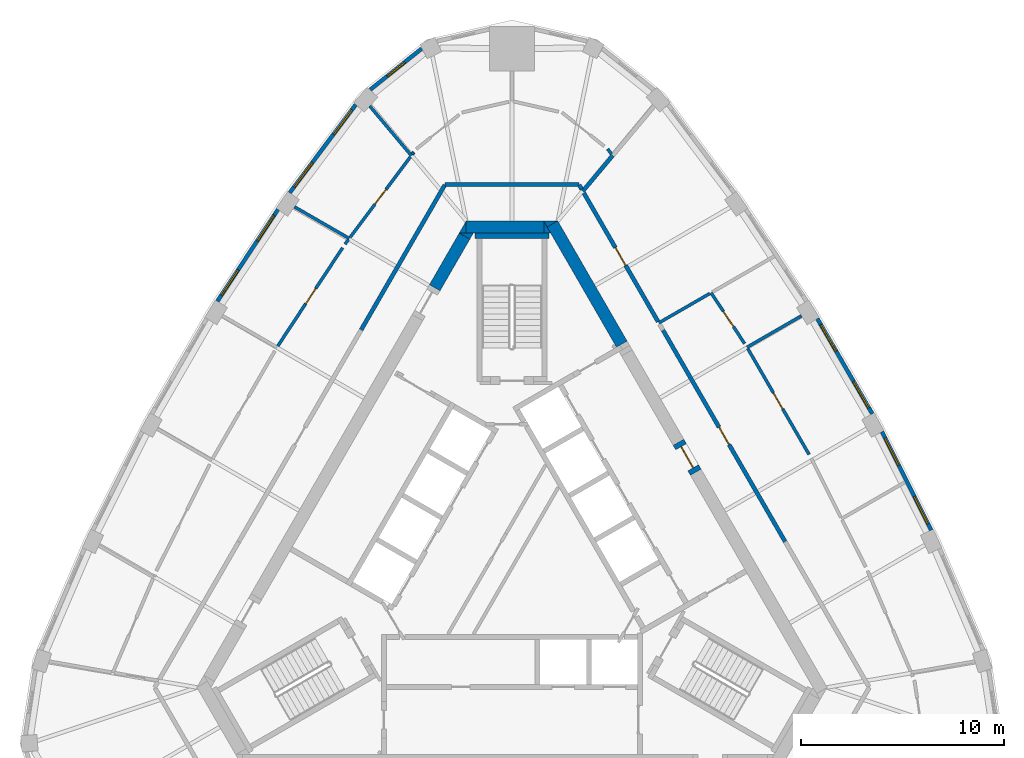
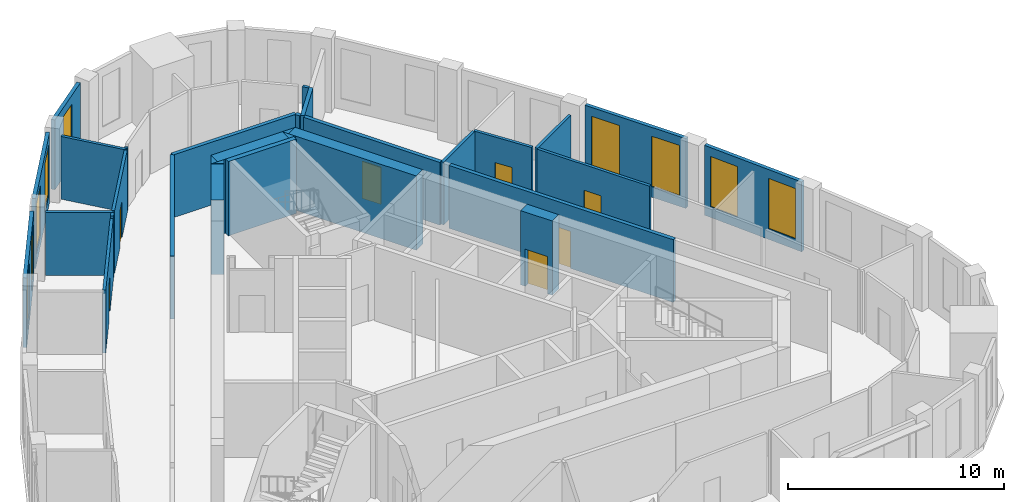
# One storey, part 8 of 10: 31 walls, 9 windows, 7 doors, 16 openings.
"""IFC4 building model written with IfcOpenShell, lengths in metres."""

from ifc_helpers import new_model, si_unit, direction, frame, frame_2d, origin, place, context, subcontext, project, spatial, polyline, rectangle, outline, extrude, material, layer, layer_set, type_object, element, fill, save


model = new_model("IFC4")

# Units and contexts
model_context = context("Model", 3, precision=1e-05, world=origin(), true_north=direction((0.0, 1.0)))
body_context = subcontext(model_context, "Body", "Model", "MODEL_VIEW")
ifc_project = project(units=[si_unit("LENGTHUNIT", "METRE"), si_unit("AREAUNIT", "SQUARE_METRE"), si_unit("VOLUMEUNIT", "CUBIC_METRE"), si_unit("PLANEANGLEUNIT", "RADIAN"), si_unit("MASSUNIT", "GRAM", prefix="KILO")], contexts=[model_context])

# Site, building, storey
site_placement = place(None, origin())
site = spatial("IfcSite", under=ifc_project, at=site_placement, CompositionType="ELEMENT")
building_placement = place(site_placement, origin())
building = spatial("IfcBuilding", under=site, at=building_placement, Name="Mestral Congress Tower", CompositionType="ELEMENT")
storey_placement = place(building_placement, frame((0.0, 0.0, 300.60009765625)))
storey = spatial("IfcBuildingStorey", under=building, at=storey_placement, Name="L70", CompositionType="ELEMENT", Elevation=300.60009765625)

# Walls
ifc_material_1 = material(Name="Concrete C60/75", Category="concrete")
ifc_layer_1 = layer(ifc_material_1, 0.60009765625)
ifc_layer_set_1 = layer_set([ifc_layer_1], Name="Concrete C60/75")
wall_type_1 = type_object("IfcWallType", Name="Core wall RC 600", PredefinedType="SOLIDWALL", material=ifc_layer_set_1)
wall_1_placement = place(storey_placement, frame((1.98876953125, 16.45556640625, 0.0), z_axis=(0.0, 0.0, 1.0), x_axis=(0.499973159588, -0.866040899549, 0.0)))
element("IfcWall", 1, at=wall_1_placement, inside=storey, type_object=wall_type_1, Name="L70 core wall", PredefinedType="SOLIDWALL", context=body_context, shape_type="SweptSolid", body=[
    extrude(rectangle(XDim=6.828125, YDim=0.60009765625, at=frame_2d((3.4140625, 0.0))), origin(), (0.0, 0.0, 1.0), 4.199951171875),
])
placement = place(storey_placement, origin())
element("IfcWall", 2, at=placement, inside=storey, type_object=wall_type_1, Name="L70 core wall", PredefinedType="SOLIDWALL", context=body_context, shape_type="SweptSolid", body=[
    extrude(outline(polyline([(1.558837890625, 16.60009765625), (2.23486328125, 16.60009765625), (1.727783203125, 16.307373046875), (1.558837890625, 16.60009765625)])), origin(), (0.0, 0.0, 1.0), 4.199951171875),
])
wall_3_placement = place(storey_placement, frame((-2.258056640625, 16.300048828125, 0.0), z_axis=(0.0, 0.0, 1.0), x_axis=(1.0, 0.0, 0.0)))
element("IfcWall", 3, at=wall_3_placement, inside=storey, type_object=wall_type_1, Name="L70 core wall", PredefinedType="SOLIDWALL", context=body_context, shape_type="SweptSolid", body=[
    extrude(rectangle(XDim=3.8232421875, YDim=0.60009765625, at=frame_2d((1.91162109375, 0.0))), origin(), (0.0, 0.0, 1.0), 4.199951171875),
])
element("IfcWall", 4, at=placement, inside=storey, type_object=wall_type_1, Name="L70 core wall", PredefinedType="SOLIDWALL", context=body_context, shape_type="SweptSolid", body=[
    extrude(outline(polyline([(1.9052734375, 16.0), (1.5673828125, 16.0), (1.5673828125, 16.58544921875), (1.9052734375, 16.0)])), origin(), (0.0, 0.0, 1.0), 4.199951171875),
])
element("IfcWall", 5, at=placement, inside=storey, type_object=wall_type_1, Name="L70 core wall", PredefinedType="SOLIDWALL", context=body_context, shape_type="SweptSolid", body=[
    extrude(outline(polyline([(-2.59814453125, 16.0), (-2.260009765625, 16.58544921875), (-2.260009765625, 16.0), (-2.59814453125, 16.0)])), origin(), (0.0, 0.0, 1.0), 4.199951171875),
])
wall_6_placement = place(storey_placement, frame((-2.335205078125, 15.85546875, 0.0), z_axis=(0.0, 0.0, 1.0), x_axis=(-0.499960127962, -0.866048422692, 0.0)))
element("IfcWall", 6, at=wall_6_placement, inside=storey, type_object=wall_type_1, Name="L70 core wall", PredefinedType="SOLIDWALL", context=body_context, shape_type="SweptSolid", body=[
    extrude(rectangle(XDim=2.934326171875, YDim=0.60009765625, at=frame_2d((1.46728515625, 0.0))), origin(), (0.0, 0.0, 1.0), 4.199951171875),
])
element("IfcWall", 7, at=placement, inside=storey, type_object=wall_type_1, Name="L70 core wall", PredefinedType="SOLIDWALL", context=body_context, shape_type="SweptSolid", body=[
    extrude(outline(polyline([(-1.9052734375, 16.0), (-2.07421875, 15.707275390625), (-2.581298828125, 16.0), (-1.9052734375, 16.0)])), origin(), (0.0, 0.0, 1.0), 4.199951171875),
])

# Wall, opening, door
wall_8_placement = place(storey_placement, frame((8.19189453125, 5.711181640625, 0.0), z_axis=(0.0, 0.0, 1.0), x_axis=(0.500062241894, -0.865989465428, 0.0)))
wall_8 = element("IfcWall", 8, at=wall_8_placement, inside=storey, type_object=wall_type_1, Name="L70 door wall", PredefinedType="SOLIDWALL", context=body_context, shape_type="SweptSolid", body=[
    extrude(rectangle(XDim=1.699951171875, YDim=0.60009765625, at=frame_2d((0.85009765625, 0.0))), origin(), (0.0, 0.0, 1.0), 4.199951171875),
])
opening_1_placement = place(wall_8_placement, frame((0.25, 0.0, 0.0)))
opening_1 = element("IfcOpeningElement", 9, at=opening_1_placement, cuts=wall_8, Name="Opening XDL", PredefinedType="OPENING", context=body_context, shape_type="SweptSolid", body=[
    extrude(rectangle(XDim=1.199951171875, YDim=2.10009765625, at=frame_2d((0.60009765625, 1.050048828125))), frame((0.0, 0.31005859375, 0.0), z_axis=(0.0, -1.0, 0.0), x_axis=(1.0, 0.0, 0.0)), (0.0, 0.0, 1.0), 0.6201171875),
])
ifc_material_2 = material(Name="Fire-rated steel door set", Category="steel")
door_type_1 = type_object("IfcDoorType", Name="Core door XD 1200x2100", OperationType="SINGLE_SWING_LEFT", PredefinedType="DOOR", material=ifc_material_2)
door_1_placement = place(opening_1_placement, origin())
door_1 = element("IfcDoor", 10, at=door_1_placement, inside=storey, type_object=door_type_1, Name="Door XDL", OperationType="SINGLE_SWING_LEFT", OverallHeight=2.10009765625, OverallWidth=1.199951171875, PredefinedType="DOOR", context=body_context, shape_type="SweptSolid", body=[
    extrude(rectangle(XDim=1.199951171875, YDim=2.10009765625, at=frame_2d((0.60009765625, 1.050048828125))), frame((0.0, 0.02490234375, 0.0), z_axis=(0.0, -1.0, 0.0), x_axis=(1.0, 0.0, 0.0)), (0.0, 0.0, 1.0), 0.050048828125),
])
fill(opening_1, door_1)

# Wall, openings, windows
ifc_material_3 = material(Name="Precast concrete C40/50 with limestone facing", Category="masonry")
ifc_layer_2 = layer(ifc_material_3, 0.18994140625)
ifc_layer_set_2 = layer_set([ifc_layer_2], Name="Precast concrete C40/50 with limestone facing")
wall_type_2 = type_object("IfcWallType", Name="Facade stone wall 190", PredefinedType="SOLIDWALL", material=ifc_layer_set_2)
wall_9_placement = place(storey_placement, frame((20.625, 1.39208984375, 0.0), z_axis=(0.0, 0.0, 1.0), x_axis=(-0.447484531401, 0.894291671747, 0.0)))
wall_9 = element("IfcWall", 11, at=wall_9_placement, inside=storey, type_object=wall_type_2, Name="Facade wall F1-01", PredefinedType="SOLIDWALL", context=body_context, shape_type="SweptSolid", body=[
    extrude(rectangle(XDim=5.40625, YDim=0.18994140625, at=frame_2d((2.703125, 0.0))), origin(), (0.0, 0.0, 1.0), 3.949951171875),
])
opening_2_placement = place(wall_9_placement, frame((0.346435546875, 0.0, 0.60009765625)))
opening_2 = element("IfcOpeningElement", 12, at=opening_2_placement, cuts=wall_9, Name="Opening W6", PredefinedType="OPENING", context=body_context, shape_type="SweptSolid", body=[
    extrude(rectangle(XDim=1.5, YDim=2.85009765625, at=frame_2d((0.75, 1.425048828125))), frame((0.0, 0.10498046875, 0.0), z_axis=(0.0, -1.0, 0.0), x_axis=(1.0, 0.0, 0.0)), (0.0, 0.0, 1.0), 0.2099609375),
])
opening_3_placement = place(wall_9_placement, frame((3.559326171875, 0.0, 0.60009765625)))
opening_3 = element("IfcOpeningElement", 13, at=opening_3_placement, cuts=wall_9, Name="Opening W6", PredefinedType="OPENING", context=body_context, shape_type="SweptSolid", body=[
    extrude(rectangle(XDim=1.5, YDim=2.85009765625, at=frame_2d((0.75, 1.425048828125))), frame((0.0, 0.10498046875, 0.0), z_axis=(0.0, -1.0, 0.0), x_axis=(1.0, 0.0, 0.0)), (0.0, 0.0, 1.0), 0.2099609375),
])
ifc_material_4 = material(Name="Clear low-emissivity double glazing", Category="glass")
window_type_1 = type_object("IfcWindowType", Name="Facade punched window 1500 x 2850 sill 600", PartitioningType="SINGLE_PANEL", PredefinedType="WINDOW", material=ifc_material_4)
window_1_placement = place(opening_2_placement, origin())
window_1 = element("IfcWindow", 14, at=window_1_placement, inside=storey, type_object=window_type_1, Name="Window F1-01a", OverallHeight=2.85009765625, OverallWidth=1.5, PartitioningType="SINGLE_PANEL", PredefinedType="WINDOW", context=body_context, shape_type="SweptSolid", body=[
    extrude(rectangle(XDim=1.5, YDim=2.85009765625, at=frame_2d((0.75, 1.425048828125))), frame((0.0, 0.044921875, 0.0), z_axis=(0.0, -1.0, 0.0), x_axis=(1.0, 0.0, 0.0)), (0.0, 0.0, 1.0), 0.06005859375),
])
fill(opening_2, window_1)
window_2_placement = place(opening_3_placement, origin())
window_2 = element("IfcWindow", 15, at=window_2_placement, inside=storey, type_object=window_type_1, Name="Window F1-01b", OverallHeight=2.85009765625, OverallWidth=1.5, PartitioningType="SINGLE_PANEL", PredefinedType="WINDOW", context=body_context, shape_type="SweptSolid", body=[
    extrude(rectangle(XDim=1.5, YDim=2.85009765625, at=frame_2d((0.75, 1.425048828125))), frame((0.0, 0.044921875, 0.0), z_axis=(0.0, -1.0, 0.0), x_axis=(1.0, 0.0, 0.0)), (0.0, 0.0, 1.0), 0.06005859375),
])
fill(opening_3, window_2)

wall_10_placement = place(storey_placement, frame((17.728271484375, 7.1142578125, 0.0), z_axis=(0.0, 0.0, 1.0), x_axis=(-0.500024767483, 0.866011103799, 0.0)))
wall_10 = element("IfcWall", 16, at=wall_10_placement, inside=storey, type_object=wall_type_2, Name="Facade wall F1-02", PredefinedType="SOLIDWALL", context=body_context, shape_type="SweptSolid", body=[
    extrude(rectangle(XDim=5.406005859375, YDim=0.18994140625, at=frame_2d((2.703125, 0.0))), origin(), (0.0, 0.0, 1.0), 3.949951171875),
])
opening_4_placement = place(wall_10_placement, frame((0.346435546875, 0.0, 0.60009765625)))
opening_4 = element("IfcOpeningElement", 17, at=opening_4_placement, cuts=wall_10, Name="Opening W6", PredefinedType="OPENING", context=body_context, shape_type="SweptSolid", body=[
    extrude(rectangle(XDim=1.5, YDim=2.85009765625, at=frame_2d((0.75, 1.425048828125))), frame((0.0, 0.10498046875, 0.0), z_axis=(0.0, -1.0, 0.0), x_axis=(1.0, 0.0, 0.0)), (0.0, 0.0, 1.0), 0.2099609375),
])
opening_5_placement = place(wall_10_placement, frame((3.5595703125, 0.0, 0.60009765625)))
opening_5 = element("IfcOpeningElement", 18, at=opening_5_placement, cuts=wall_10, Name="Opening W6", PredefinedType="OPENING", context=body_context, shape_type="SweptSolid", body=[
    extrude(rectangle(XDim=1.5, YDim=2.85009765625, at=frame_2d((0.75, 1.425048828125))), frame((0.0, 0.10498046875, 0.0), z_axis=(0.0, -1.0, 0.0), x_axis=(1.0, 0.0, 0.0)), (0.0, 0.0, 1.0), 0.2099609375),
])
window_3_placement = place(opening_4_placement, origin())
window_3 = element("IfcWindow", 19, at=window_3_placement, inside=storey, type_object=window_type_1, Name="Window F1-02a", OverallHeight=2.85009765625, OverallWidth=1.5, PartitioningType="SINGLE_PANEL", PredefinedType="WINDOW", context=body_context, shape_type="SweptSolid", body=[
    extrude(rectangle(XDim=1.5, YDim=2.85009765625, at=frame_2d((0.75, 1.425048828125))), frame((0.0, 0.044921875, 0.0), z_axis=(0.0, -1.0, 0.0), x_axis=(1.0, 0.0, 0.0)), (0.0, 0.0, 1.0), 0.06005859375),
])
fill(opening_4, window_3)
window_4_placement = place(opening_5_placement, origin())
window_4 = element("IfcWindow", 20, at=window_4_placement, inside=storey, type_object=window_type_1, Name="Window F1-02b", OverallHeight=2.85009765625, OverallWidth=1.5, PartitioningType="SINGLE_PANEL", PredefinedType="WINDOW", context=body_context, shape_type="SweptSolid", body=[
    extrude(rectangle(XDim=1.5, YDim=2.85009765625, at=frame_2d((0.75, 1.425048828125))), frame((0.0, 0.044921875, 0.0), z_axis=(0.0, -1.0, 0.0), x_axis=(1.0, 0.0, 0.0)), (0.0, 0.0, 1.0), 0.06005859375),
])
fill(opening_5, window_4)

# Wall, opening, window
wall_11_placement = place(storey_placement, frame((-4.447509765625, 25.080078125, 0.0), z_axis=(0.0, 0.0, 1.0), x_axis=(-0.781626234064, -0.623747088349, 0.0)))
wall_11 = element("IfcWall", 21, at=wall_11_placement, inside=storey, type_object=wall_type_2, Name="Facade wall K1-3", PredefinedType="SOLIDWALL", context=body_context, shape_type="SweptSolid", body=[
    extrude(rectangle(XDim=3.236572265625, YDim=0.18994140625, at=frame_2d((1.6181640625, 0.0))), origin(), (0.0, 0.0, 1.0), 3.949951171875),
])
opening_6_placement = place(wall_11_placement, frame((1.068359375, 0.0, 0.60009765625)))
opening_6 = element("IfcOpeningElement", 22, at=opening_6_placement, cuts=wall_11, Name="Opening W7", PredefinedType="OPENING", context=body_context, shape_type="SweptSolid", body=[
    extrude(rectangle(XDim=1.10009765625, YDim=2.85009765625, at=frame_2d((0.550048828125, 1.425048828125))), frame((0.0, 0.10498046875, 0.0), z_axis=(0.0, -1.0, 0.0), x_axis=(1.0, 0.0, 0.0)), (0.0, 0.0, 1.0), 0.2099609375),
])
window_type_2 = type_object("IfcWindowType", Name="Facade punched window 1100 x 2850 sill 600", PartitioningType="SINGLE_PANEL", PredefinedType="WINDOW", material=ifc_material_4)
window_5_placement = place(opening_6_placement, origin())
window_5 = element("IfcWindow", 23, at=window_5_placement, inside=storey, type_object=window_type_2, Name="Window K1-3", OverallHeight=2.85009765625, OverallWidth=1.10009765625, PartitioningType="SINGLE_PANEL", PredefinedType="WINDOW", context=body_context, shape_type="SweptSolid", body=[
    extrude(rectangle(XDim=1.10009765625, YDim=2.85009765625, at=frame_2d((0.550048828125, 1.425048828125))), frame((0.0, 0.044921875, 0.0), z_axis=(0.0, -1.0, 0.0), x_axis=(1.0, 0.0, 0.0)), (0.0, 0.0, 1.0), 0.06005859375),
])
fill(opening_6, window_5)

# Wall, openings, windows
wall_12_placement = place(storey_placement, frame((-7.691650390625, 22.32373046875, 0.0), z_axis=(0.0, 0.0, 1.0), x_axis=(-0.599559865294, -0.800329911929, 0.0)))
wall_12 = element("IfcWall", 24, at=wall_12_placement, inside=storey, type_object=wall_type_2, Name="Facade wall F2-00", PredefinedType="SOLIDWALL", context=body_context, shape_type="SweptSolid", body=[
    extrude(rectangle(XDim=5.4150390625, YDim=0.18994140625, at=frame_2d((2.70751953125, 0.0))), origin(), (0.0, 0.0, 1.0), 3.949951171875),
])
opening_7_placement = place(wall_12_placement, frame((0.322509765625, 0.0, 0.60009765625)))
opening_7 = element("IfcOpeningElement", 25, at=opening_7_placement, cuts=wall_12, Name="Opening W6", PredefinedType="OPENING", context=body_context, shape_type="SweptSolid", body=[
    extrude(rectangle(XDim=1.5, YDim=2.85009765625, at=frame_2d((0.75, 1.425048828125))), frame((0.0, 0.10498046875, 0.0), z_axis=(0.0, -1.0, 0.0), x_axis=(1.0, 0.0, 0.0)), (0.0, 0.0, 1.0), 0.2099609375),
])
opening_8_placement = place(wall_12_placement, frame((3.5576171875, 0.0, 0.60009765625)))
opening_8 = element("IfcOpeningElement", 26, at=opening_8_placement, cuts=wall_12, Name="Opening W6", PredefinedType="OPENING", context=body_context, shape_type="SweptSolid", body=[
    extrude(rectangle(XDim=1.5, YDim=2.85009765625, at=frame_2d((0.75, 1.425048828125))), frame((0.0, 0.10498046875, 0.0), z_axis=(0.0, -1.0, 0.0), x_axis=(1.0, 0.0, 0.0)), (0.0, 0.0, 1.0), 0.2099609375),
])
window_6_placement = place(opening_7_placement, origin())
window_6 = element("IfcWindow", 27, at=window_6_placement, inside=storey, type_object=window_type_1, Name="Window F2-00a", OverallHeight=2.85009765625, OverallWidth=1.5, PartitioningType="SINGLE_PANEL", PredefinedType="WINDOW", context=body_context, shape_type="SweptSolid", body=[
    extrude(rectangle(XDim=1.5, YDim=2.85009765625, at=frame_2d((0.75, 1.425048828125))), frame((0.0, 0.044921875, 0.0), z_axis=(0.0, -1.0, 0.0), x_axis=(1.0, 0.0, 0.0)), (0.0, 0.0, 1.0), 0.06005859375),
])
fill(opening_7, window_6)
window_7_placement = place(opening_8_placement, origin())
window_7 = element("IfcWindow", 28, at=window_7_placement, inside=storey, type_object=window_type_1, Name="Window F2-00b", OverallHeight=2.85009765625, OverallWidth=1.5, PartitioningType="SINGLE_PANEL", PredefinedType="WINDOW", context=body_context, shape_type="SweptSolid", body=[
    extrude(rectangle(XDim=1.5, YDim=2.85009765625, at=frame_2d((0.75, 1.425048828125))), frame((0.0, 0.044921875, 0.0), z_axis=(0.0, -1.0, 0.0), x_axis=(1.0, 0.0, 0.0)), (0.0, 0.0, 1.0), 0.06005859375),
])
fill(opening_8, window_7)

wall_13_placement = place(storey_placement, frame((-11.518310546875, 17.16552734375, 0.0), z_axis=(0.0, 0.0, 1.0), x_axis=(-0.550744054781, -0.83467417962, 0.0)))
wall_13 = element("IfcWall", 29, at=wall_13_placement, inside=storey, type_object=wall_type_2, Name="Facade wall F2-01", PredefinedType="SOLIDWALL", context=body_context, shape_type="SweptSolid", body=[
    extrude(rectangle(XDim=5.406005859375, YDim=0.18994140625, at=frame_2d((2.703125, 0.0))), origin(), (0.0, 0.0, 1.0), 3.949951171875),
])
opening_9_placement = place(wall_13_placement, frame((0.346435546875, 0.0, 0.60009765625)))
opening_9 = element("IfcOpeningElement", 30, at=opening_9_placement, cuts=wall_13, Name="Opening W6", PredefinedType="OPENING", context=body_context, shape_type="SweptSolid", body=[
    extrude(rectangle(XDim=1.5, YDim=2.85009765625, at=frame_2d((0.75, 1.425048828125))), frame((0.0, 0.10498046875, 0.0), z_axis=(0.0, -1.0, 0.0), x_axis=(1.0, 0.0, 0.0)), (0.0, 0.0, 1.0), 0.2099609375),
])
opening_10_placement = place(wall_13_placement, frame((3.559326171875, 0.0, 0.60009765625)))
opening_10 = element("IfcOpeningElement", 31, at=opening_10_placement, cuts=wall_13, Name="Opening W6", PredefinedType="OPENING", context=body_context, shape_type="SweptSolid", body=[
    extrude(rectangle(XDim=1.5, YDim=2.85009765625, at=frame_2d((0.75, 1.425048828125))), frame((0.0, 0.10498046875, 0.0), z_axis=(0.0, -1.0, 0.0), x_axis=(1.0, 0.0, 0.0)), (0.0, 0.0, 1.0), 0.2099609375),
])
window_8_placement = place(opening_9_placement, origin())
window_8 = element("IfcWindow", 32, at=window_8_placement, inside=storey, type_object=window_type_1, Name="Window F2-01a", OverallHeight=2.85009765625, OverallWidth=1.5, PartitioningType="SINGLE_PANEL", PredefinedType="WINDOW", context=body_context, shape_type="SweptSolid", body=[
    extrude(rectangle(XDim=1.5, YDim=2.85009765625, at=frame_2d((0.75, 1.425048828125))), frame((0.0, 0.044921875, 0.0), z_axis=(0.0, -1.0, 0.0), x_axis=(1.0, 0.0, 0.0)), (0.0, 0.0, 1.0), 0.06005859375),
])
fill(opening_9, window_8)
window_9_placement = place(opening_10_placement, origin())
window_9 = element("IfcWindow", 33, at=window_9_placement, inside=storey, type_object=window_type_1, Name="Window F2-01b", OverallHeight=2.85009765625, OverallWidth=1.5, PartitioningType="SINGLE_PANEL", PredefinedType="WINDOW", context=body_context, shape_type="SweptSolid", body=[
    extrude(rectangle(XDim=1.5, YDim=2.85009765625, at=frame_2d((0.75, 1.425048828125))), frame((0.0, 0.044921875, 0.0), z_axis=(0.0, -1.0, 0.0), x_axis=(1.0, 0.0, 0.0)), (0.0, 0.0, 1.0), 0.06005859375),
])
fill(opening_10, window_9)

# Wall
ifc_material_5 = material(Name="Plasterboard partition on steel studs", Category="steel")
ifc_layer_3 = layer(ifc_material_5, 0.14990234375)
ifc_layer_set_3 = layer_set([ifc_layer_3], Name="Plasterboard partition on steel studs")
wall_type_3 = type_object("IfcWallType", Name="Office partition 150", PredefinedType="PARTITIONING", material=ifc_layer_set_3)
wall_14_placement = place(storey_placement, frame((11.564208984375, 10.38671875, 0.0), z_axis=(0.0, 0.0, 1.0), x_axis=(0.86604641216, 0.499963610661, 0.0)))
element("IfcWall", 34, at=wall_14_placement, inside=storey, type_object=wall_type_3, Name="Partition", PredefinedType="PARTITIONING", context=body_context, shape_type="SweptSolid", body=[
    extrude(rectangle(XDim=3.096435546875, YDim=0.14990234375, at=frame_2d((1.54833984375, 0.0))), origin(), (0.0, 0.0, 1.0), 3.5498046875),
])

# Wall, opening, door
wall_15_placement = place(storey_placement, frame((11.601806640625, 10.32177734375, 0.0), z_axis=(0.0, 0.0, 1.0), x_axis=(0.500961140821, -0.865469777281, 0.0)))
wall_15 = element("IfcWall", 35, at=wall_15_placement, inside=storey, type_object=wall_type_3, Name="Partition", PredefinedType="PARTITIONING", context=body_context, shape_type="SweptSolid", body=[
    extrude(rectangle(XDim=6.020751953125, YDim=0.14990234375, at=frame_2d((3.01025390625, 0.0))), origin(), (0.0, 0.0, 1.0), 3.5498046875),
])
opening_11_placement = place(wall_15_placement, frame((2.5205078125, 0.0, 0.0)))
opening_11 = element("IfcOpeningElement", 36, at=opening_11_placement, cuts=wall_15, Name="Opening O13-006", PredefinedType="OPENING", context=body_context, shape_type="SweptSolid", body=[
    extrude(rectangle(XDim=0.89990234375, YDim=2.10009765625, at=frame_2d((0.449951171875, 1.050048828125))), frame((0.0, 0.0849609375, 0.0), z_axis=(0.0, -1.0, 0.0), x_axis=(1.0, 0.0, 0.0)), (0.0, 0.0, 1.0), 0.169921875),
])
ifc_material_6 = material(Name="Timber door set", Category="wood")
door_type_2 = type_object("IfcDoorType", Name="Office door 900x2100", OperationType="SINGLE_SWING_LEFT", PredefinedType="DOOR", material=ifc_material_6)
door_2_placement = place(opening_11_placement, origin())
door_2 = element("IfcDoor", 37, at=door_2_placement, inside=storey, type_object=door_type_2, Name="Door O13-006", OperationType="SINGLE_SWING_LEFT", OverallHeight=2.10009765625, OverallWidth=0.89990234375, PredefinedType="DOOR", context=body_context, shape_type="SweptSolid", body=[
    extrude(rectangle(XDim=0.89990234375, YDim=2.10009765625, at=frame_2d((0.449951171875, 1.050048828125))), frame((0.0, 0.02490234375, 0.0), z_axis=(0.0, -1.0, 0.0), x_axis=(1.0, 0.0, 0.0)), (0.0, 0.0, 1.0), 0.050048828125),
])
fill(opening_11, door_2)

wall_16_placement = place(storey_placement, frame((9.794677734375, 13.068359375, 0.0), z_axis=(0.0, 0.0, 1.0), x_axis=(0.550767347659, -0.834658809786, 0.0)))
wall_16 = element("IfcWall", 38, at=wall_16_placement, inside=storey, type_object=wall_type_3, Name="Partition", PredefinedType="PARTITIONING", context=body_context, shape_type="SweptSolid", body=[
    extrude(rectangle(XDim=2.998779296875, YDim=0.14990234375, at=frame_2d((1.49951171875, 0.0))), origin(), (0.0, 0.0, 1.0), 3.5498046875),
])
opening_12_placement = place(wall_16_placement, frame((1.0986328125, 0.0, 0.0)))
opening_12 = element("IfcOpeningElement", 39, at=opening_12_placement, cuts=wall_16, Name="Opening O13-007", PredefinedType="OPENING", context=body_context, shape_type="SweptSolid", body=[
    extrude(rectangle(XDim=0.89990234375, YDim=2.10009765625, at=frame_2d((0.449951171875, 1.050048828125))), frame((0.0, 0.0849609375, 0.0), z_axis=(0.0, -1.0, 0.0), x_axis=(1.0, 0.0, 0.0)), (0.0, 0.0, 1.0), 0.169921875),
])
door_3_placement = place(opening_12_placement, origin())
door_3 = element("IfcDoor", 40, at=door_3_placement, inside=storey, type_object=door_type_2, Name="Door O13-007", OperationType="SINGLE_SWING_RIGHT", OverallHeight=2.10009765625, OverallWidth=0.89990234375, PredefinedType="DOOR", context=body_context, shape_type="SweptSolid", body=[
    extrude(rectangle(XDim=0.89990234375, YDim=2.10009765625, at=frame_2d((0.449951171875, 1.050048828125))), frame((0.0, 0.02490234375, 0.0), z_axis=(0.0, -1.0, 0.0), x_axis=(1.0, 0.0, 0.0)), (0.0, 0.0, 1.0), 0.050048828125),
])
fill(opening_12, door_3)

# Walls
wall_17_placement = place(storey_placement, frame((7.2255859375, 11.585205078125, 0.0), z_axis=(0.0, 0.0, 1.0), x_axis=(0.866021079084, 0.500007490527, 0.0)))
element("IfcWall", 41, at=wall_17_placement, inside=storey, type_object=wall_type_3, Name="Partition", PredefinedType="PARTITIONING", context=body_context, shape_type="SweptSolid", body=[
    extrude(rectangle(XDim=2.8916015625, YDim=0.14990234375, at=frame_2d((1.44580078125, 0.0))), origin(), (0.0, 0.0, 1.0), 3.5498046875),
])
wall_18_placement = place(storey_placement, frame((4.89111328125, 19.8994140625, 0.0), z_axis=(0.0, 0.0, 1.0), x_axis=(-0.6, 0.8, 0.0)))
element("IfcWall", 42, at=wall_18_placement, inside=storey, type_object=wall_type_3, Name="Partition", PredefinedType="PARTITIONING", context=body_context, shape_type="SweptSolid", body=[
    extrude(rectangle(XDim=0.308837890625, YDim=0.14990234375, at=frame_2d((0.154296875, 0.0))), origin(), (0.0, 0.0, 1.0), 3.5498046875),
])
wall_19_placement = place(storey_placement, frame((-4.952392578125, 19.8173828125, 0.0), z_axis=(0.0, 0.0, 1.0), x_axis=(-0.643023053688, 0.765846820471, 0.0)))
element("IfcWall", 43, at=wall_19_placement, inside=storey, type_object=wall_type_3, Name="Partition", PredefinedType="PARTITIONING", context=body_context, shape_type="SweptSolid", body=[
    extrude(rectangle(XDim=3.184326171875, YDim=0.14990234375, at=frame_2d((1.59228515625, 0.0))), origin(), (0.0, 0.0, 1.0), 3.5498046875),
])
wall_20_placement = place(storey_placement, frame((-4.83447265625, 19.97509765625, 0.0), z_axis=(0.0, 0.0, 1.0), x_axis=(-0.599349659863, -0.800487342325, 0.0)))
element("IfcWall", 44, at=wall_20_placement, inside=storey, type_object=wall_type_3, Name="Partition", PredefinedType="PARTITIONING", context=body_context, shape_type="SweptSolid", body=[
    extrude(rectangle(XDim=0.1201171875, YDim=0.14990234375, at=frame_2d((0.06005859375, 0.0))), origin(), (0.0, 0.0, 1.0), 3.5498046875),
])
wall_21_placement = place(storey_placement, frame((-8.007080078125, 15.73974609375, 0.0), z_axis=(0.0, 0.0, 1.0), x_axis=(-0.866044607523, 0.499966736674, 0.0)))
element("IfcWall", 45, at=wall_21_placement, inside=storey, type_object=wall_type_3, Name="Partition", PredefinedType="PARTITIONING", context=body_context, shape_type="SweptSolid", body=[
    extrude(rectangle(XDim=3.114501953125, YDim=0.14990234375, at=frame_2d((1.55712890625, 0.0))), origin(), (0.0, 0.0, 1.0), 3.5498046875),
])

# Wall, opening, door
wall_22_placement = place(storey_placement, frame((-7.9619140625, 15.800048828125, 0.0), z_axis=(0.0, 0.0, 1.0), x_axis=(0.599541489613, 0.800343677574, 0.0)))
wall_22 = element("IfcWall", 46, at=wall_22_placement, inside=storey, type_object=wall_type_3, Name="Partition", PredefinedType="PARTITIONING", context=body_context, shape_type="SweptSolid", body=[
    extrude(rectangle(XDim=4.9423828125, YDim=0.14990234375, at=frame_2d((2.47119140625, 0.0))), origin(), (0.0, 0.0, 1.0), 3.5498046875),
])
opening_13_placement = place(wall_22_placement, frame((2.042236328125, 0.0, 0.0)))
opening_13 = element("IfcOpeningElement", 47, at=opening_13_placement, cuts=wall_22, Name="Opening O13-012", PredefinedType="OPENING", context=body_context, shape_type="SweptSolid", body=[
    extrude(rectangle(XDim=0.89990234375, YDim=2.10009765625, at=frame_2d((0.449951171875, 1.050048828125))), frame((0.0, 0.0849609375, 0.0), z_axis=(0.0, -1.0, 0.0), x_axis=(1.0, 0.0, 0.0)), (0.0, 0.0, 1.0), 0.169921875),
])
door_4_placement = place(opening_13_placement, origin())
door_4 = element("IfcDoor", 48, at=door_4_placement, inside=storey, type_object=door_type_2, Name="Door O13-012", OperationType="SINGLE_SWING_RIGHT", OverallHeight=2.10009765625, OverallWidth=0.89990234375, PredefinedType="DOOR", context=body_context, shape_type="SweptSolid", body=[
    extrude(rectangle(XDim=0.89990234375, YDim=2.10009765625, at=frame_2d((0.449951171875, 1.050048828125))), frame((0.0, 0.02490234375, 0.0), z_axis=(0.0, -1.0, 0.0), x_axis=(1.0, 0.0, 0.0)), (0.0, 0.0, 1.0), 0.050048828125),
])
fill(opening_13, door_4)

# Wall
wall_23_placement = place(storey_placement, frame((-8.052490234375, 15.67919921875, 0.0), z_axis=(0.0, 0.0, 1.0), x_axis=(-0.599004157744, -0.800745914136, 0.0)))
element("IfcWall", 49, at=wall_23_placement, inside=storey, type_object=wall_type_3, Name="Partition", PredefinedType="PARTITIONING", context=body_context, shape_type="SweptSolid", body=[
    extrude(rectangle(XDim=0.274658203125, YDim=0.14990234375, at=frame_2d((0.13720703125, 0.0))), origin(), (0.0, 0.0, 1.0), 3.5498046875),
])

# Wall, opening, door
wall_24_placement = place(storey_placement, frame((-11.52294921875, 10.449462890625, 0.0), z_axis=(0.0, 0.0, 1.0), x_axis=(0.550751709023, 0.834669129061, 0.0)))
wall_24 = element("IfcWall", 50, at=wall_24_placement, inside=storey, type_object=wall_type_3, Name="Partition", PredefinedType="PARTITIONING", context=body_context, shape_type="SweptSolid", body=[
    extrude(rectangle(XDim=5.7880859375, YDim=0.14990234375, at=frame_2d((2.89404296875, 0.0))), origin(), (0.0, 0.0, 1.0), 3.5498046875),
])
opening_14_placement = place(wall_24_placement, frame((2.488037109375, 0.0, 0.0)))
opening_14 = element("IfcOpeningElement", 51, at=opening_14_placement, cuts=wall_24, Name="Opening O13-013", PredefinedType="OPENING", context=body_context, shape_type="SweptSolid", body=[
    extrude(rectangle(XDim=0.89990234375, YDim=2.10009765625, at=frame_2d((0.449951171875, 1.050048828125))), frame((0.0, 0.0849609375, 0.0), z_axis=(0.0, -1.0, 0.0), x_axis=(1.0, 0.0, 0.0)), (0.0, 0.0, 1.0), 0.169921875),
])
door_5_placement = place(opening_14_placement, origin())
door_5 = element("IfcDoor", 52, at=door_5_placement, inside=storey, type_object=door_type_2, Name="Door O13-013", OperationType="SINGLE_SWING_RIGHT", OverallHeight=2.10009765625, OverallWidth=0.89990234375, PredefinedType="DOOR", context=body_context, shape_type="SweptSolid", body=[
    extrude(rectangle(XDim=0.89990234375, YDim=2.10009765625, at=frame_2d((0.449951171875, 1.050048828125))), frame((0.0, 0.02490234375, 0.0), z_axis=(0.0, -1.0, 0.0), x_axis=(1.0, 0.0, 0.0)), (0.0, 0.0, 1.0), 0.050048828125),
])
fill(opening_14, door_5)

ifc_material_7 = material(Name="Dense masonry wall, plastered", Category="masonry")
ifc_layer_4 = layer(ifc_material_7, 0.199951171875)
ifc_layer_set_4 = layer_set([ifc_layer_4], Name="Dense masonry wall, plastered")
wall_type_4 = type_object("IfcWallType", Name="Office tenancy wall 200", PredefinedType="PARTITIONING", material=ifc_layer_set_4)
wall_25_placement = place(storey_placement, frame((13.435546875, 0.828857421875, 0.0), z_axis=(0.0, 0.0, 1.0), x_axis=(-0.49999894854, 0.866026010844, 0.0)))
wall_25 = element("IfcWall", 53, at=wall_25_placement, inside=storey, type_object=wall_type_4, Name="Tenancy wall", PredefinedType="PARTITIONING", context=body_context, shape_type="SweptSolid", body=[
    extrude(rectangle(XDim=12.0, YDim=0.199951171875, at=frame_2d((6.0, 0.0))), origin(), (0.0, 0.0, 1.0), 3.5498046875),
])
opening_15_placement = place(wall_25_placement, frame((5.5, 0.0, 0.0)))
opening_15 = element("IfcOpeningElement", 54, at=opening_15_placement, cuts=wall_25, Name="Opening O13-008", PredefinedType="OPENING", context=body_context, shape_type="SweptSolid", body=[
    extrude(rectangle(XDim=1.0, YDim=2.10009765625, at=frame_2d((0.5, 1.050048828125))), frame((0.0, 0.10986328125, 0.0), z_axis=(0.0, -1.0, 0.0), x_axis=(1.0, 0.0, 0.0)), (0.0, 0.0, 1.0), 0.219970703125),
])
ifc_material_8 = material(Name="Fire-rated timber door set", Category="wood")
door_type_3 = type_object("IfcDoorType", Name="Office tenancy entrance door 1000x2100", OperationType="SINGLE_SWING_LEFT", PredefinedType="DOOR", material=ifc_material_8)
door_6_placement = place(opening_15_placement, origin())
door_6 = element("IfcDoor", 55, at=door_6_placement, inside=storey, type_object=door_type_3, Name="Door O13-008", OperationType="SINGLE_SWING_RIGHT", OverallHeight=2.10009765625, OverallWidth=1.0, PredefinedType="DOOR", context=body_context, shape_type="SweptSolid", body=[
    extrude(rectangle(XDim=1.0, YDim=2.10009765625, at=frame_2d((0.5, 1.050048828125))), frame((0.0, 0.02490234375, 0.0), z_axis=(0.0, -1.0, 0.0), x_axis=(1.0, 0.0, 0.0)), (0.0, 0.0, 1.0), 0.050048828125),
])
fill(opening_15, door_6)

# Wall
wall_26_placement = place(storey_placement, frame((3.483154296875, 18.06689453125, 0.0), z_axis=(0.0, 0.0, 1.0), x_axis=(0.642896944312, 0.765952687177, 0.0)))
element("IfcWall", 56, at=wall_26_placement, inside=storey, type_object=wall_type_4, Name="Tenancy wall", PredefinedType="PARTITIONING", context=body_context, shape_type="SweptSolid", body=[
    extrude(rectangle(XDim=2.28955078125, YDim=0.199951171875, at=frame_2d((1.144775390625, 0.0))), origin(), (0.0, 0.0, 1.0), 3.5498046875),
])

# Wall, opening, door
wall_27_placement = place(storey_placement, frame((7.18798828125, 11.64990234375, 0.0), z_axis=(0.0, 0.0, 1.0), x_axis=(-0.499989634868, 0.866031388014, 0.0)))
wall_27 = element("IfcWall", 57, at=wall_27_placement, inside=storey, type_object=wall_type_4, Name="Tenancy wall", PredefinedType="PARTITIONING", context=body_context, shape_type="SweptSolid", body=[
    extrude(rectangle(XDim=7.303466796875, YDim=0.199951171875, at=frame_2d((3.65185546875, 0.0))), origin(), (0.0, 0.0, 1.0), 3.5498046875),
])
opening_16_placement = place(wall_27_placement, frame((3.199951171875, 0.0, 0.0)))
opening_16 = element("IfcOpeningElement", 58, at=opening_16_placement, cuts=wall_27, Name="Opening O13-009", PredefinedType="OPENING", context=body_context, shape_type="SweptSolid", body=[
    extrude(rectangle(XDim=1.0, YDim=2.10009765625, at=frame_2d((0.5, 1.050048828125))), frame((0.0, 0.10986328125, 0.0), z_axis=(0.0, -1.0, 0.0), x_axis=(1.0, 0.0, 0.0)), (0.0, 0.0, 1.0), 0.219970703125),
])
door_7_placement = place(opening_16_placement, origin())
door_7 = element("IfcDoor", 59, at=door_7_placement, inside=storey, type_object=door_type_3, Name="Door O13-009", OperationType="SINGLE_SWING_RIGHT", OverallHeight=2.10009765625, OverallWidth=1.0, PredefinedType="DOOR", context=body_context, shape_type="SweptSolid", body=[
    extrude(rectangle(XDim=1.0, YDim=2.10009765625, at=frame_2d((0.5, 1.050048828125))), frame((0.0, 0.02490234375, 0.0), z_axis=(0.0, -1.0, 0.0), x_axis=(1.0, 0.0, 0.0)), (0.0, 0.0, 1.0), 0.050048828125),
])
fill(opening_16, door_7)

# Walls
wall_28_placement = place(storey_placement, frame((3.291015625, 18.39990234375, 0.0), z_axis=(0.0, 0.0, 1.0), x_axis=(-1.0, 0.0, 0.0)))
element("IfcWall", 60, at=wall_28_placement, inside=storey, type_object=wall_type_4, Name="Tenancy wall", PredefinedType="PARTITIONING", context=body_context, shape_type="SweptSolid", body=[
    extrude(rectangle(XDim=6.58203125, YDim=0.199951171875, at=frame_2d((3.291015625, 0.0))), origin(), (0.0, 0.0, 1.0), 3.5498046875),
])
wall_29_placement = place(storey_placement, frame((-3.305908203125, 18.3740234375, 0.0), z_axis=(0.0, 0.0, 1.0), x_axis=(-0.499999798456, -0.866025520146, 0.0)))
element("IfcWall", 61, at=wall_29_placement, inside=storey, type_object=wall_type_4, Name="Tenancy wall", PredefinedType="PARTITIONING", context=body_context, shape_type="SweptSolid", body=[
    extrude(rectangle(XDim=8.2294921875, YDim=0.199951171875, at=frame_2d((4.11474609375, 0.0))), origin(), (0.0, 0.0, 1.0), 3.5498046875),
])
wall_30_placement = place(storey_placement, frame((3.429931640625, 18.1591796875, 0.0), z_axis=(0.0, 0.0, 1.0), x_axis=(-0.499949632511, 0.866054481515, 0.0)))
element("IfcWall", 62, at=wall_30_placement, inside=storey, type_object=wall_type_4, Name="Tenancy wall", PredefinedType="PARTITIONING", context=body_context, shape_type="SweptSolid", body=[
    extrude(rectangle(XDim=0.248046875, YDim=0.199951171875, at=frame_2d((0.1240234375, 0.0))), origin(), (0.0, 0.0, 1.0), 3.5498046875),
])
ifc_layer_5 = layer(ifc_material_1, 0.25)
ifc_layer_set_5 = layer_set([ifc_layer_5], Name="Concrete C60/75")
wall_type_5 = type_object("IfcWallType", Name="Stair wall RC 250", PredefinedType="SOLIDWALL", material=ifc_layer_set_5)
wall_31_placement = place(storey_placement, frame((-1.81689453125, 15.875, 0.0), z_axis=(0.0, 0.0, 1.0), x_axis=(1.0, 0.0, 0.0)))
element("IfcWall", 63, at=wall_31_placement, inside=storey, type_object=wall_type_5, Name="L70 core wall", PredefinedType="SOLIDWALL", context=body_context, shape_type="SweptSolid", body=[
    extrude(rectangle(XDim=3.6337890625, YDim=0.25, at=frame_2d((1.81689453125, 0.0))), origin(), (0.0, 0.0, 1.0), 4.199951171875),
])

save(model, "model.ifc")
